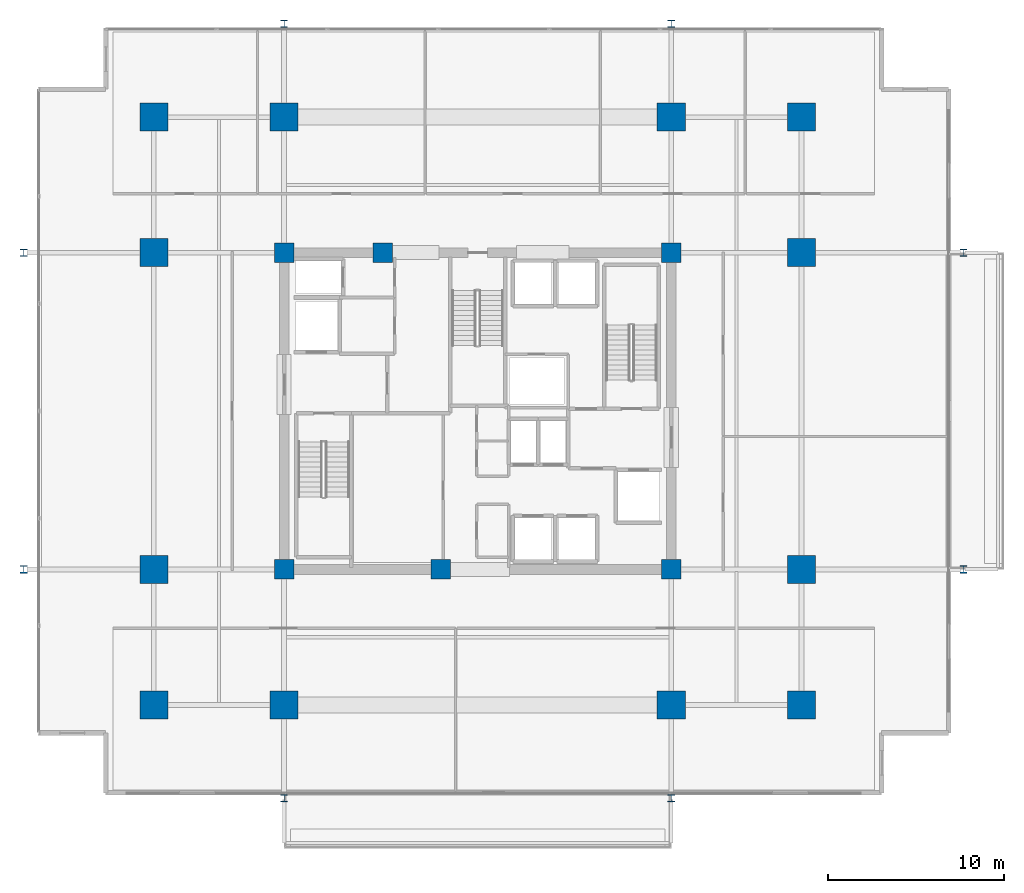
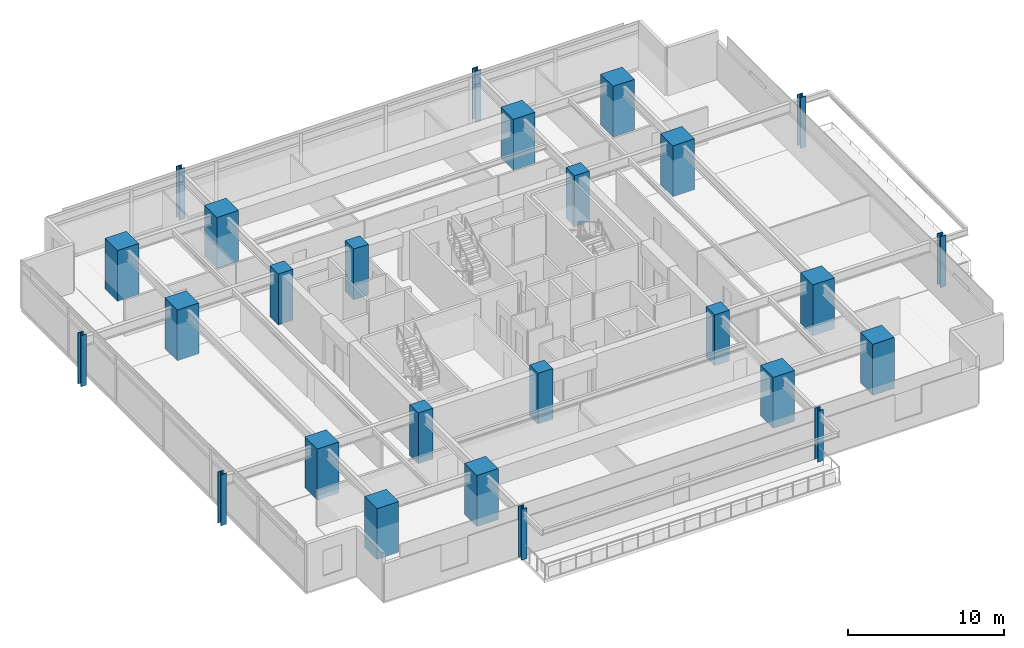
# One storey, part 1 of 21: 26 columns.
"""IFC4 building model written with IfcOpenShell, lengths in metres."""

from ifc_helpers import new_model, si_unit, direction, frame, origin, origin_2d, place, context, subcontext, project, spatial, rectangle, i_section, extrude, material, material_profile, profile_set, type_object, element, save


model = new_model("IFC4")

# Units and contexts
model_context = context("Model", 3, precision=1e-05, world=origin(), true_north=direction((0.0, 1.0)))
body_context = subcontext(model_context, "Body", "Model", "MODEL_VIEW")
ifc_project = project(units=[si_unit("LENGTHUNIT", "METRE"), si_unit("AREAUNIT", "SQUARE_METRE"), si_unit("VOLUMEUNIT", "CUBIC_METRE"), si_unit("PLANEANGLEUNIT", "RADIAN"), si_unit("MASSUNIT", "GRAM", prefix="KILO")], contexts=[model_context])

# Site, building, storey
site_placement = place(None, origin())
site = spatial("IfcSite", under=ifc_project, at=site_placement, CompositionType="ELEMENT")
building_placement = place(site_placement, origin())
building = spatial("IfcBuilding", under=site, at=building_placement, Name="Kovane Verandah Tower", CompositionType="ELEMENT")
storey_placement = place(building_placement, frame((0.0, 0.0, 176.39990234375)))
storey = spatial("IfcBuildingStorey", under=building, at=storey_placement, Name="L41", CompositionType="ELEMENT", Elevation=176.39990234375)

# Columns
ifc_material_1 = material(Name="Concrete C80/95", Category="concrete")
ifc_material_profile_1 = material_profile(ifc_material_1, rectangle(XDim=1.60009765625, YDim=1.60009765625, at=origin_2d()), Name="RC1600x1600")
ifc_profile_set_1 = profile_set([ifc_material_profile_1], Name="Concrete C80/95")
column_type_1 = type_object("IfcColumnType", Name="COL-RC1600", PredefinedType="COLUMN", material=ifc_profile_set_1)
for number, where, z_axis, x_axis, name in (
    (1, (29.0, 10.800048828125, 0.0), (0.0, 0.0, 1.0), (1.0, 0.0, 0.0), "L41 Tower Mega-Column MC-S1"),
    (2, (51.0, 10.800048828125, 0.0), (0.0, 0.0, 1.0), (1.0, 0.0, 0.0), "L41 Tower Mega-Column MC-S2"),
    (3, (29.0, 44.199951171875, 0.0), (0.0, 0.0, 1.0), (1.0, 0.0, 0.0), "L41 Tower Mega-Column MC-N1"),
    (4, (51.0, 44.199951171875, 0.0), (0.0, 0.0, 1.0), (1.0, 0.0, 0.0), "L41 Tower Mega-Column MC-N2"),
    (5, (21.60009765625, 18.5, 0.0), (0.0, 0.0, 1.0), (1.0, 0.0, 0.0), "L41 Tower Mega-Column MC-W1"),
    (6, (21.60009765625, 36.5, 0.0), (0.0, 0.0, 1.0), (1.0, 0.0, 0.0), "L41 Tower Mega-Column MC-W2"),
    (7, (58.39990234375, 18.5, 0.0), (0.0, 0.0, 1.0), (1.0, 0.0, 0.0), "L41 Tower Mega-Column MC-E1"),
    (8, (58.39990234375, 36.5, 0.0), (0.0, 0.0, 1.0), (1.0, 0.0, 0.0), "L41 Tower Mega-Column MC-E2"),
    (9, (21.60009765625, 10.800048828125, 0.0), (0.0, 0.0, 1.0), (1.0, 0.0, 0.0), "L41 Tower Mega-Column MC-SW"),
    (10, (58.39990234375, 10.800048828125, 0.0), (0.0, 0.0, 1.0), (1.0, 0.0, 0.0), "L41 Tower Mega-Column MC-SE"),
    (11, (21.60009765625, 44.199951171875, 0.0), (0.0, 0.0, 1.0), (1.0, 0.0, 0.0), "L41 Tower Mega-Column MC-NW"),
    (12, (58.39990234375, 44.199951171875, 0.0), (0.0, 0.0, 1.0), (1.0, 0.0, 0.0), "L41 Tower Mega-Column MC-NE"),
):
    element("IfcColumn", number, at=place(storey_placement, frame(where, z_axis=z_axis, x_axis=x_axis)), inside=storey, type_object=column_type_1, Name=name, PredefinedType="COLUMN", context=body_context, shape_type="SweptSolid", body=[
        extrude(rectangle(XDim=1.60009765625, YDim=1.60009765625, at=origin_2d()), origin(), (0.0, 0.0, 1.0), 4.0),
    ])
ifc_material_2 = material(Name="Steel S460", Category="steel")
ifc_material_profile_2 = material_profile(ifc_material_2, i_section(OverallWidth=0.412109375, OverallDepth=0.4365234375, WebThickness=0.035888671875, FlangeThickness=0.05810546875, FilletRadius=0.01513671875, at=origin_2d()), Name="UC356x406x467")
ifc_profile_set_2 = profile_set([ifc_material_profile_2], Name="Steel S460")
column_type_2 = type_object("IfcColumnType", Name="COL-UC467", PredefinedType="COLUMN", material=ifc_profile_set_2)
for number, where, z_axis, x_axis, name in (
    (13, (14.199951171875, 18.5, 0.0), (0.0, 0.0, 1.0), (1.0, 0.0, 0.0), "L41 Verandah Perimeter Column VC-W1"),
    (14, (14.199951171875, 36.5, 0.0), (0.0, 0.0, 1.0), (1.0, 0.0, 0.0), "L41 Verandah Perimeter Column VC-W2"),
    (15, (67.60009765625, 18.5, 0.0), (0.0, 0.0, 1.0), (1.0, 0.0, 0.0), "L41 Verandah Perimeter Column VC-E1"),
    (16, (67.60009765625, 36.5, 0.0), (0.0, 0.0, 1.0), (1.0, 0.0, 0.0), "L41 Verandah Perimeter Column VC-E2"),
    (17, (29.0, 5.5, 0.0), (0.0, 0.0, 1.0), (1.0, 0.0, 0.0), "L41 Verandah Perimeter Column VC-S1"),
    (18, (51.0, 5.5, 0.0), (0.0, 0.0, 1.0), (1.0, 0.0, 0.0), "L41 Verandah Perimeter Column VC-S2"),
    (19, (29.0, 49.5, 0.0), (0.0, 0.0, 1.0), (1.0, 0.0, 0.0), "L41 Verandah Perimeter Column VC-N1"),
    (20, (51.0, 49.5, 0.0), (0.0, 0.0, 1.0), (1.0, 0.0, 0.0), "L41 Verandah Perimeter Column VC-N2"),
):
    element("IfcColumn", number, at=place(storey_placement, frame(where, z_axis=z_axis, x_axis=x_axis)), inside=storey, type_object=column_type_2, Name=name, PredefinedType="COLUMN", context=body_context, shape_type="SweptSolid", body=[
        extrude(i_section(OverallWidth=0.412109375, OverallDepth=0.4365234375, WebThickness=0.035888671875, FlangeThickness=0.05810546875, FilletRadius=0.01513671875, at=origin_2d()), origin(), (0.0, 0.0, 1.0), 4.0),
    ])
ifc_material_profile_3 = material_profile(ifc_material_1, rectangle(XDim=1.10009765625, YDim=1.10009765625, at=origin_2d()), Name="RC1100x1100")
ifc_profile_set_3 = profile_set([ifc_material_profile_3], Name="Concrete C80/95")
column_type_3 = type_object("IfcColumnType", Name="PIL-RC1100", PredefinedType="PILASTER", material=ifc_profile_set_3)
for number, where, z_axis, x_axis, name in (
    (21, (29.0, 18.5, 0.0), (0.0, 0.0, 1.0), (1.0, 0.0, 0.0), "L41 Core Pilaster CP-SW"),
    (22, (51.0, 18.5, 0.0), (0.0, 0.0, 1.0), (1.0, 0.0, 0.0), "L41 Core Pilaster CP-SE"),
    (23, (29.0, 36.5, 0.0), (0.0, 0.0, 1.0), (1.0, 0.0, 0.0), "L41 Core Pilaster CP-NW"),
    (24, (51.0, 36.5, 0.0), (0.0, 0.0, 1.0), (1.0, 0.0, 0.0), "L41 Core Pilaster CP-NE"),
    (25, (37.89990234375, 18.5, 0.0), (0.0, 0.0, 1.0), (1.0, 0.0, 0.0), "L41 Core Pilaster CP-S"),
    (26, (34.60009765625, 36.5, 0.0), (0.0, 0.0, 1.0), (1.0, 0.0, 0.0), "L41 Core Pilaster CP-N"),
):
    element("IfcColumn", number, at=place(storey_placement, frame(where, z_axis=z_axis, x_axis=x_axis)), inside=storey, type_object=column_type_3, Name=name, PredefinedType="PILASTER", context=body_context, shape_type="SweptSolid", body=[
        extrude(rectangle(XDim=1.10009765625, YDim=1.10009765625, at=origin_2d()), origin(), (0.0, 0.0, 1.0), 4.0),
    ])

save(model, "model.ifc")
